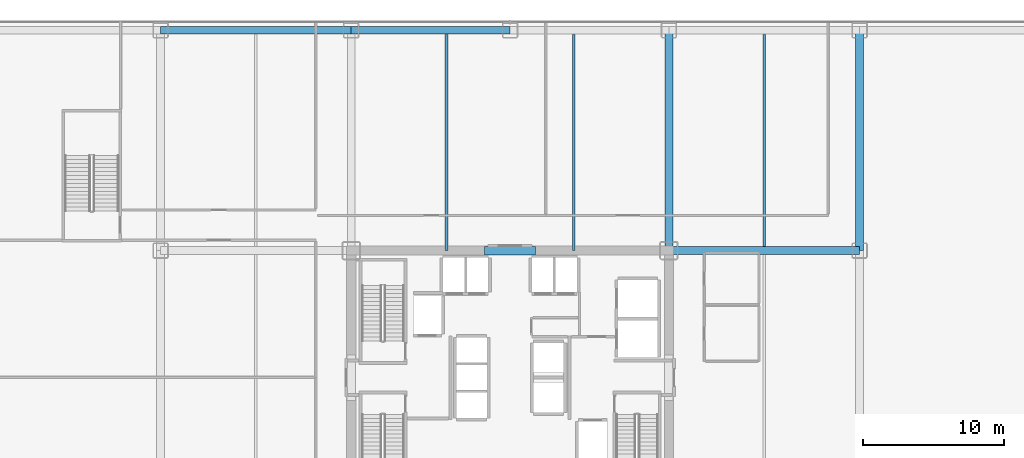
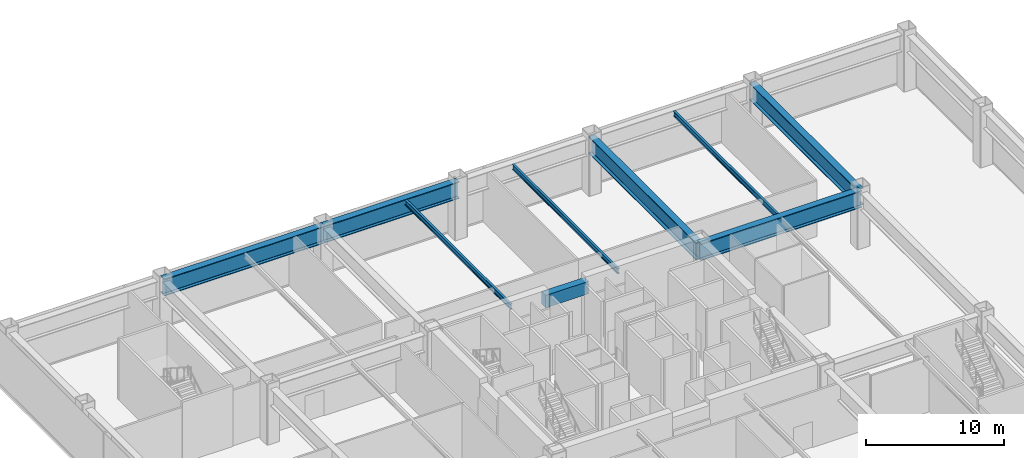
# One storey, part 9 of 24: 9 beams.
"""IFC4 building model written with IfcOpenShell, lengths in metres."""

from ifc_helpers import new_model, si_unit, direction, frame, origin, origin_2d, place, context, subcontext, project, spatial, rectangle, i_section, extrude, source, transform, mapped, material, material_profile, profile_set, type_object, element, save


model = new_model("IFC4")

# Units and contexts
model_context = context("Model", 3, precision=1e-05, world=origin(), true_north=direction((0.0, 1.0)))
body_context = subcontext(model_context, "Body", "Model", "MODEL_VIEW")
ifc_project = project(units=[si_unit("LENGTHUNIT", "METRE"), si_unit("AREAUNIT", "SQUARE_METRE"), si_unit("VOLUMEUNIT", "CUBIC_METRE"), si_unit("PLANEANGLEUNIT", "RADIAN"), si_unit("MASSUNIT", "GRAM", prefix="KILO")], contexts=[model_context])

# Site, building, storey
site_placement = place(None, origin())
site = spatial("IfcSite", under=ifc_project, at=site_placement, CompositionType="ELEMENT")
building_placement = place(site_placement, origin())
building = spatial("IfcBuilding", under=site, at=building_placement, Name="Nefas-Gora Pilgrimage Tower", CompositionType="ELEMENT")
storey_placement = place(building_placement, frame((0.0, 0.0, 22.199951171875)))
storey = spatial("IfcBuildingStorey", under=building, at=storey_placement, Name="L04", CompositionType="ELEMENT", Elevation=22.199951171875)

# Beams
ifc_material_1 = material(Name="Concrete C60/75", Category="concrete")
ifc_material_profile_1 = material_profile(ifc_material_1, rectangle(XDim=0.60009765625, YDim=1.10009765625, at=origin_2d()), Name="RC 600x1100")
ifc_profile_set_1 = profile_set([ifc_material_profile_1], Name="Concrete C60/75")
beam_type_1 = type_object("IfcBeamType", Name="BM-LIN-RC1100", PredefinedType="LINTEL", material=ifc_profile_set_1)
shared_shape_1 = source(origin(), body_context, "Body", "SweptSolid", [
    extrude(rectangle(XDim=0.60009765625, YDim=1.10009765625, at=origin_2d()), origin(), (0.0, 0.0, 1.0), 3.60009765625),
])
beam_1_placement = place(storey_placement, frame((-1.800048828125, 9.0, 4.3701171875), z_axis=(1.0, 0.0, 0.0), x_axis=(0.0, 1.0, 0.0)))
element("IfcBeam", 1, at=beam_1_placement, inside=storey, type_object=beam_type_1, Name="L04 Core Coupling Lintel Beam N", PredefinedType="LINTEL", context=body_context, shape_type="MappedRepresentation", body=[
    mapped(shared_shape_1, transform((0.0, 0.0, 0.0), x_axis=(1.0, 0.0, 0.0), y_axis=(0.0, 1.0, 0.0), z_axis=(0.0, 0.0, 1.0), scale=1.0)),
])
ifc_material_2 = material(Name="Steel S460", Category="steel")
ifc_material_profile_2 = material_profile(ifc_material_2, i_section(OverallWidth=0.550048828125, OverallDepth=1.5, WebThickness=0.031982421875, FlangeThickness=0.06005859375, FilletRadius=0.02392578125, at=origin_2d()), Name="WPG 1500x550x32x60")
ifc_profile_set_2 = profile_set([ifc_material_profile_2], Name="Steel S460")
beam_type_2 = type_object("IfcBeamType", Name="BM-TR-1500E", PredefinedType="BEAM", material=ifc_profile_set_2)
shared_shape_2 = source(origin(), body_context, "Body", "SweptSolid", [
    extrude(i_section(OverallWidth=0.550048828125, OverallDepth=1.5, WebThickness=0.031982421875, FlangeThickness=0.06005859375, FilletRadius=0.02392578125, at=origin_2d()), origin(), (0.0, 0.0, 1.0), 13.5),
])
beam_2_placement = place(storey_placement, frame((-24.75, 24.60009765625, 4.170166015625), z_axis=(1.0, 0.0, 0.0), x_axis=(0.0, 1.0, 0.0)))
element("IfcBeam", 2, at=beam_2_placement, inside=storey, type_object=beam_type_2, Name="L04 TB-01E beam", PredefinedType="BEAM", context=body_context, shape_type="MappedRepresentation", body=[
    mapped(shared_shape_2, transform((0.0, 0.0, 0.0), x_axis=(1.0, 0.0, 0.0), y_axis=(0.0, 1.0, 0.0), z_axis=(0.0, 0.0, 1.0), scale=1.0)),
])
shared_shape_3 = source(origin(), body_context, "Body", "SweptSolid", [
    extrude(i_section(OverallWidth=0.550048828125, OverallDepth=1.5, WebThickness=0.031982421875, FlangeThickness=0.06005859375, FilletRadius=0.02392578125, at=origin_2d()), origin(), (0.0, 0.0, 1.0), 11.25),
])
beam_3_placement = place(storey_placement, frame((-11.25, 24.60009765625, 4.170166015625), z_axis=(1.0, 0.0, 0.0), x_axis=(0.0, 1.0, 0.0)))
element("IfcBeam", 3, at=beam_3_placement, inside=storey, type_object=beam_type_2, Name="L04 TB-01E beam", PredefinedType="BEAM", context=body_context, shape_type="MappedRepresentation", body=[
    mapped(shared_shape_3, transform((0.0, 0.0, 0.0), x_axis=(1.0, 0.0, 0.0), y_axis=(0.0, 1.0, 0.0), z_axis=(0.0, 0.0, 1.0), scale=1.0)),
])
ifc_material_profile_3 = material_profile(ifc_material_2, i_section(OverallWidth=0.550048828125, OverallDepth=1.5, WebThickness=0.031982421875, FlangeThickness=0.06005859375, FilletRadius=0.02392578125, at=origin_2d()), Name="WPG 1500x550x32x60")
ifc_profile_set_3 = profile_set([ifc_material_profile_3], Name="Steel S460")
beam_type_3 = type_object("IfcBeamType", Name="BM-TR-1500", PredefinedType="BEAM", material=ifc_profile_set_3)
shared_shape_4 = source(origin(), body_context, "Body", "SweptSolid", [
    extrude(i_section(OverallWidth=0.550048828125, OverallDepth=1.5, WebThickness=0.031982421875, FlangeThickness=0.06005859375, FilletRadius=0.02392578125, at=origin_2d()), origin(), (0.0, 0.0, 1.0), 13.5),
])
beam_4_placement = place(storey_placement, frame((11.25, 9.0, 4.170166015625), z_axis=(1.0, 0.0, 0.0), x_axis=(0.0, 1.0, 0.0)))
element("IfcBeam", 4, at=beam_4_placement, inside=storey, type_object=beam_type_3, Name="L04 TB-01 beam", PredefinedType="BEAM", context=body_context, shape_type="MappedRepresentation", body=[
    mapped(shared_shape_4, transform((0.0, 0.0, 0.0), x_axis=(1.0, 0.0, 0.0), y_axis=(0.0, 1.0, 0.0), z_axis=(0.0, 0.0, 1.0), scale=1.0)),
])
shared_shape_5 = source(origin(), body_context, "Body", "SweptSolid", [
    extrude(i_section(OverallWidth=0.550048828125, OverallDepth=1.5, WebThickness=0.031982421875, FlangeThickness=0.06005859375, FilletRadius=0.02392578125, at=origin_2d()), origin(), (0.0, 0.0, 1.0), 15.60009765625),
])
for number, where, z_axis, x_axis, name in (
    (5, (11.25, 9.0, 4.170166015625), (0.0, 1.0, 0.0), (-1.0, 0.0, 0.0), "L04 TB-01 beam"),
    (6, (24.75, 9.0, 4.170166015625), (0.0, 1.0, 0.0), (-1.0, 0.0, 0.0), "L04 TB-01 beam"),
):
    element("IfcBeam", number, at=place(storey_placement, frame(where, z_axis=z_axis, x_axis=x_axis)), inside=storey, type_object=beam_type_3, Name=name, PredefinedType="BEAM", context=body_context, shape_type="MappedRepresentation", body=[
        mapped(shared_shape_5, transform((0.0, 0.0, 0.0), x_axis=(1.0, 0.0, 0.0), y_axis=(0.0, 1.0, 0.0), z_axis=(0.0, 0.0, 1.0), scale=1.0)),
    ])
ifc_material_3 = material(Name="Steel S355", Category="steel")
ifc_material_profile_4 = material_profile(ifc_material_3, i_section(OverallWidth=0.18994140625, OverallDepth=0.449951171875, WebThickness=0.009521484375, FlangeThickness=0.0146484375, FilletRadius=0.02099609375, at=origin_2d()), Name="IPE 450")
ifc_profile_set_4 = profile_set([ifc_material_profile_4], Name="Steel S355")
beam_type_4 = type_object("IfcBeamType", Name="BM-JST-IPE450", PredefinedType="JOIST", material=ifc_profile_set_4)
shared_shape_6 = source(origin(), body_context, "Body", "SweptSolid", [
    extrude(i_section(OverallWidth=0.18994140625, OverallDepth=0.449951171875, WebThickness=0.009521484375, FlangeThickness=0.0146484375, FilletRadius=0.02099609375, at=origin_2d()), origin(), (0.0, 0.0, 1.0), 15.0380859375),
])
beam_5_placement = place(storey_placement, frame((18.0, 9.281005859375, 4.695068359375), z_axis=(0.0, 1.0, 0.0), x_axis=(-1.0, 0.0, 0.0)))
element("IfcBeam", 7, at=beam_5_placement, inside=storey, type_object=beam_type_4, Name="L04 J-01 beam", PredefinedType="JOIST", context=body_context, shape_type="MappedRepresentation", body=[
    mapped(shared_shape_6, transform((0.0, 0.0, 0.0), x_axis=(1.0, 0.0, 0.0), y_axis=(0.0, 1.0, 0.0), z_axis=(0.0, 0.0, 1.0), scale=1.0)),
])
shared_shape_7 = source(origin(), body_context, "Body", "SweptSolid", [
    extrude(i_section(OverallWidth=0.18994140625, OverallDepth=0.449951171875, WebThickness=0.009521484375, FlangeThickness=0.0146484375, FilletRadius=0.02099609375, at=origin_2d()), origin(), (0.0, 0.0, 1.0), 15.319091796875),
])
for number, where, z_axis, x_axis, name in (
    (8, (-4.5, 9.0, 4.695068359375), (0.0, 1.0, 0.0), (-1.0, 0.0, 0.0), "L04 J-01 beam"),
    (9, (4.5, 9.0, 4.695068359375), (0.0, 1.0, 0.0), (-1.0, 0.0, 0.0), "L04 J-01 beam"),
):
    element("IfcBeam", number, at=place(storey_placement, frame(where, z_axis=z_axis, x_axis=x_axis)), inside=storey, type_object=beam_type_4, Name=name, PredefinedType="JOIST", context=body_context, shape_type="MappedRepresentation", body=[
        mapped(shared_shape_7, transform((0.0, 0.0, 0.0), x_axis=(1.0, 0.0, 0.0), y_axis=(0.0, 1.0, 0.0), z_axis=(0.0, 0.0, 1.0), scale=1.0)),
    ])

save(model, "model.ifc")
